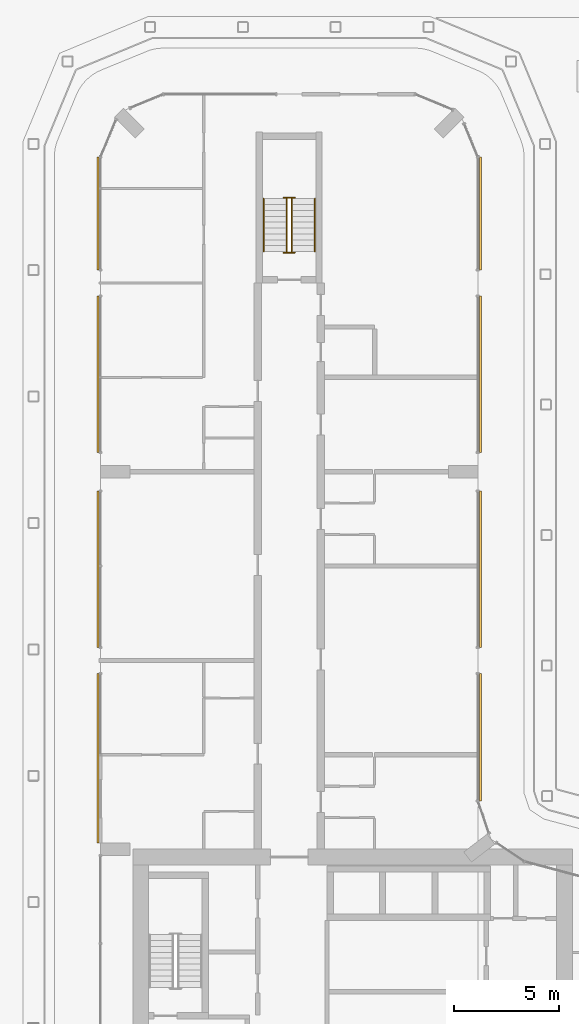
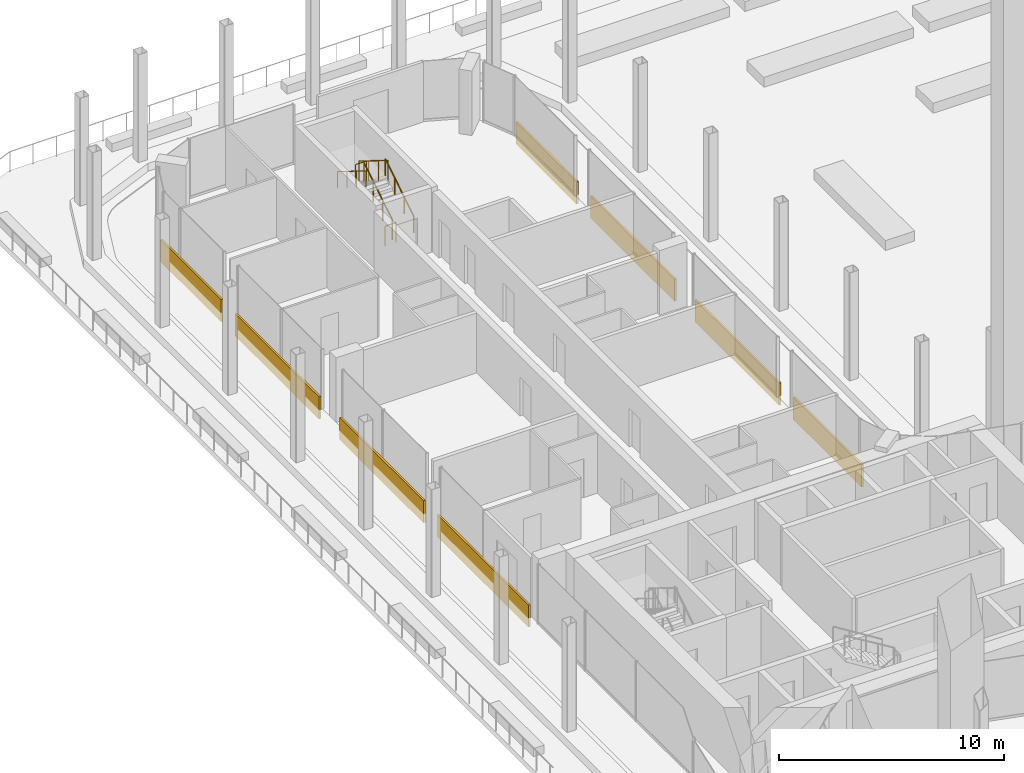
# One storey, part 32 of 33: 8 coverings, 6 railings.
"""IFC4 building model written with IfcOpenShell, lengths in metres."""

from ifc_helpers import new_model, si_unit, direction, frame, origin, origin_2d, place, context, subcontext, project, spatial, rectangle, circle, extrude, material, layer, layer_set, type_object, element, save


model = new_model("IFC4")

# Units and contexts
model_context = context("Model", 3, precision=1e-05, world=origin(), true_north=direction((0.0, 1.0)))
body_context = subcontext(model_context, "Body", "Model", "MODEL_VIEW")
ifc_project = project(units=[si_unit("LENGTHUNIT", "METRE"), si_unit("AREAUNIT", "SQUARE_METRE"), si_unit("VOLUMEUNIT", "CUBIC_METRE"), si_unit("PLANEANGLEUNIT", "RADIAN"), si_unit("MASSUNIT", "GRAM", prefix="KILO")], contexts=[model_context])

# Site, building, storey
site_placement = place(None, origin())
site = spatial("IfcSite", under=ifc_project, at=site_placement, CompositionType="ELEMENT")
building_placement = place(site_placement, origin())
building = spatial("IfcBuilding", under=site, at=building_placement, Name="Plateau Cross Towers", CompositionType="ELEMENT")
storey_placement = place(building_placement, frame((0.0, 0.0, 26.800048828125)))
storey = spatial("IfcBuildingStorey", under=building, at=storey_placement, Name="L05", CompositionType="ELEMENT", Elevation=26.800048828125)

# Railings
ifc_material_1 = material(Name="Stainless steel and toughened glass", Category="steel")
railing_type_1 = type_object("IfcRailingType", Name="RL-GUARD-1100", PredefinedType="GUARDRAIL", material=ifc_material_1)
railing_1_placement = place(storey_placement, frame((9.125, 46.5, 0.175048828125)))
element("IfcRailing", 1, at=railing_1_placement, inside=storey, type_object=railing_type_1, Name="L05 ES-N stair guard 1", PredefinedType="GUARDRAIL", context=body_context, shape_type="SweptSolid", body=[
    extrude(circle(Radius=0.02392578125, at=origin_2d()), frame((0.0, 0.0, 1.076171875), z_axis=(0.0, 0.848007534815, 0.529984170421), x_axis=(-1.0, 0.0, 0.0)), (0.0, 0.0, 1.0), 2.9716796875),
    extrude(circle(Radius=0.02099609375, at=origin_2d()), origin(), (0.0, 0.0, 1.0), 1.052001953125),
    extrude(circle(Radius=0.02099609375, at=origin_2d()), frame((0.0, 0.840087890625, 0.52490234375)), (0.0, 0.0, 1.0), 1.052001953125),
    extrude(circle(Radius=0.02099609375, at=origin_2d()), frame((0.0, 1.679931640625, 1.050048828125)), (0.0, 0.0, 1.0), 1.052001953125),
    extrude(circle(Radius=0.02099609375, at=origin_2d()), frame((0.0, 2.52001953125, 1.574951171875)), (0.0, 0.0, 1.0), 1.052001953125),
])
railing_2_placement = place(storey_placement, frame((9.27490234375, 49.070068359375, 1.75)))
element("IfcRailing", 2, at=railing_2_placement, inside=storey, type_object=railing_type_1, Name="L05 ES-N stair guard 2", PredefinedType="GUARDRAIL", context=body_context, shape_type="SweptSolid", body=[
    extrude(circle(Radius=0.02392578125, at=origin_2d()), frame((0.0, 0.0, 1.076171875), z_axis=(-1.0, 0.0, 0.0), x_axis=(0.0, -1.0, 0.0)), (0.0, 0.0, 1.0), 0.5498046875),
    extrude(circle(Radius=0.02099609375, at=origin_2d()), origin(), (0.0, 0.0, 1.0), 1.052001953125),
    extrude(circle(Radius=0.02099609375, at=origin_2d()), frame((-0.5498046875, 0.0, 0.0)), (0.0, 0.0, 1.0), 1.052001953125),
])
railing_3_placement = place(storey_placement, frame((8.875, 49.02001953125, 1.925048828125)))
element("IfcRailing", 3, at=railing_3_placement, inside=storey, type_object=railing_type_1, Name="L05 ES-N stair guard 3", PredefinedType="GUARDRAIL", context=body_context, shape_type="SweptSolid", body=[
    extrude(circle(Radius=0.02392578125, at=origin_2d()), frame((0.0, 0.0, 1.076171875), z_axis=(0.0, -0.852638500773, 0.522501279423), x_axis=(1.0, 0.0, 0.0)), (0.0, 0.0, 1.0), 3.01416015625),
    extrude(circle(Radius=0.02099609375, at=origin_2d()), origin(), (0.0, 0.0, 1.0), 1.052001953125),
    extrude(circle(Radius=0.02099609375, at=origin_2d()), frame((0.0, -0.856689453125, 0.52490234375)), (0.0, 0.0, 1.0), 1.052001953125),
    extrude(circle(Radius=0.02099609375, at=origin_2d()), frame((0.0, -1.71337890625, 1.050048828125)), (0.0, 0.0, 1.0), 1.052001953125),
    extrude(circle(Radius=0.02099609375, at=origin_2d()), frame((0.0, -2.570068359375, 1.574951171875)), (0.0, 0.0, 1.0), 1.052001953125),
])
railing_4_placement = place(storey_placement, frame((9.27490234375, 46.449951171875, 0.0)))
element("IfcRailing", 4, at=railing_4_placement, inside=storey, type_object=railing_type_1, Name="L05 ES-N stair guard 4", PredefinedType="GUARDRAIL", context=body_context, shape_type="SweptSolid", body=[
    extrude(circle(Radius=0.02392578125, at=origin_2d()), frame((0.0, 0.0, 1.076171875), z_axis=(-1.0, 0.0, 0.0), x_axis=(0.0, -1.0, 0.0)), (0.0, 0.0, 1.0), 0.5498046875),
    extrude(circle(Radius=0.02099609375, at=origin_2d()), origin(), (0.0, 0.0, 1.0), 1.052001953125),
    extrude(circle(Radius=0.02099609375, at=origin_2d()), frame((-0.5498046875, 0.0, 0.0)), (0.0, 0.0, 1.0), 1.052001953125),
])
ifc_material_2 = material(Name="Black anodised aluminium", Category="aluminium")
railing_type_2 = type_object("IfcRailingType", Name="RL-HANDRAIL-900", PredefinedType="HANDRAIL", material=ifc_material_2)
railing_5_placement = place(storey_placement, frame((10.22509765625, 46.5, 0.175048828125)))
element("IfcRailing", 5, at=railing_5_placement, inside=storey, type_object=railing_type_2, Name="L05 ES-N stair handrail 1", PredefinedType="HANDRAIL", context=body_context, shape_type="SweptSolid", body=[
    extrude(circle(Radius=0.02392578125, at=origin_2d()), frame((0.0, 0.0, 0.8759765625), z_axis=(0.0, 0.848007534815, 0.529984170421), x_axis=(-1.0, 0.0, 0.0)), (0.0, 0.0, 1.0), 2.9716796875),
    extrude(circle(Radius=0.02099609375, at=origin_2d()), origin(), (0.0, 0.0, 1.0), 0.851806640625),
    extrude(circle(Radius=0.02099609375, at=origin_2d()), frame((0.0, 0.840087890625, 0.52490234375)), (0.0, 0.0, 1.0), 0.851806640625),
    extrude(circle(Radius=0.02099609375, at=origin_2d()), frame((0.0, 1.679931640625, 1.050048828125)), (0.0, 0.0, 1.0), 0.851806640625),
    extrude(circle(Radius=0.02099609375, at=origin_2d()), frame((0.0, 2.52001953125, 1.574951171875)), (0.0, 0.0, 1.0), 0.851806640625),
])
railing_6_placement = place(storey_placement, frame((7.77490234375, 49.02001953125, 1.925048828125)))
element("IfcRailing", 6, at=railing_6_placement, inside=storey, type_object=railing_type_2, Name="L05 ES-N stair handrail 2", PredefinedType="HANDRAIL", context=body_context, shape_type="SweptSolid", body=[
    extrude(circle(Radius=0.02392578125, at=origin_2d()), frame((0.0, 0.0, 0.8759765625), z_axis=(0.0, -0.848007534815, 0.529984170421), x_axis=(1.0, 0.0, 0.0)), (0.0, 0.0, 1.0), 2.9716796875),
    extrude(circle(Radius=0.02099609375, at=origin_2d()), origin(), (0.0, 0.0, 1.0), 0.851806640625),
    extrude(circle(Radius=0.02099609375, at=origin_2d()), frame((0.0, -0.840087890625, 0.52490234375)), (0.0, 0.0, 1.0), 0.851806640625),
    extrude(circle(Radius=0.02099609375, at=origin_2d()), frame((0.0, -1.679931640625, 1.050048828125)), (0.0, 0.0, 1.0), 0.851806640625),
    extrude(circle(Radius=0.02099609375, at=origin_2d()), frame((0.0, -2.52001953125, 1.574951171875)), (0.0, 0.0, 1.0), 0.851806640625),
])

# Coverings
ifc_material_3 = material(Name="Precast concrete cladding C40/50", Category="concrete")
ifc_layer = layer(ifc_material_3, 0.10009765625)
ifc_layer_set = layer_set([ifc_layer], Name="Precast concrete cladding C40/50")
covering_type = type_object("IfcCoveringType", Name="Spandrel band cladding 100x1200", PredefinedType="CLADDING", material=ifc_layer_set)
covering_1_placement = place(storey_placement, frame((18.1201171875, 23.341064453125, -0.5), z_axis=(0.0, 0.0, 1.0), x_axis=(0.0, 1.0, 0.0)))
element("IfcCovering", 7, at=covering_1_placement, inside=storey, type_object=covering_type, Name="Spandrel band", PredefinedType="CLADDING", context=body_context, shape_type="SweptSolid", body=[
    extrude(rectangle(XDim=6.07763671875, YDim=0.10009765625, at=origin_2d()), origin(), (0.0, 0.0, 1.0), 1.199951171875),
])
for number, where, z_axis, x_axis, name in (
    (8, (18.1201171875, 31.35009765625, -0.5), (0.0, 0.0, 1.0), (0.0, 1.0, 0.0), "Spandrel band"),
    (9, (18.1201171875, 40.64990234375, -0.5), (0.0, 0.0, 1.0), (0.0, 1.0, 0.0), "Spandrel band"),
):
    element("IfcCovering", number, at=place(storey_placement, frame(where, z_axis=z_axis, x_axis=x_axis)), inside=storey, type_object=covering_type, Name=name, PredefinedType="CLADDING", context=body_context, shape_type="SweptSolid", body=[
        extrude(rectangle(XDim=7.4599609375, YDim=0.10009765625, at=origin_2d()), origin(), (0.0, 0.0, 1.0), 1.199951171875),
    ])
for number, where, z_axis, x_axis, name in (
    (10, (18.1201171875, 48.31005859375, -0.5), (0.0, 0.0, 1.0), (0.0, 1.0, 0.0), "Spandrel band"),
    (11, (-0.1201171875, 48.31005859375, -0.5), (0.0, 0.0, 1.0), (0.0, -1.0, 0.0), "Spandrel band"),
):
    element("IfcCovering", number, at=place(storey_placement, frame(where, z_axis=z_axis, x_axis=x_axis)), inside=storey, type_object=covering_type, Name=name, PredefinedType="CLADDING", context=body_context, shape_type="SweptSolid", body=[
        extrude(rectangle(XDim=5.3798828125, YDim=0.10009765625, at=origin_2d()), origin(), (0.0, 0.0, 1.0), 1.199951171875),
    ])
for number, where, z_axis, x_axis, name in (
    (12, (-0.1201171875, 40.64990234375, -0.5), (0.0, 0.0, 1.0), (0.0, -1.0, 0.0), "Spandrel band"),
    (13, (-0.1201171875, 31.35009765625, -0.5), (0.0, 0.0, 1.0), (0.0, -1.0, 0.0), "Spandrel band"),
):
    element("IfcCovering", number, at=place(storey_placement, frame(where, z_axis=z_axis, x_axis=x_axis)), inside=storey, type_object=covering_type, Name=name, PredefinedType="CLADDING", context=body_context, shape_type="SweptSolid", body=[
        extrude(rectangle(XDim=7.4599609375, YDim=0.10009765625, at=origin_2d()), origin(), (0.0, 0.0, 1.0), 1.199951171875),
    ])
covering_2_placement = place(storey_placement, frame((-0.1201171875, 22.340087890625, -0.5), z_axis=(0.0, 0.0, 1.0), x_axis=(0.0, -1.0, 0.0)))
element("IfcCovering", 14, at=covering_2_placement, inside=storey, type_object=covering_type, Name="Spandrel band", PredefinedType="CLADDING", context=body_context, shape_type="SweptSolid", body=[
    extrude(rectangle(XDim=8.080078125, YDim=0.10009765625, at=origin_2d()), origin(), (0.0, 0.0, 1.0), 1.199951171875),
])

save(model, "model.ifc")
